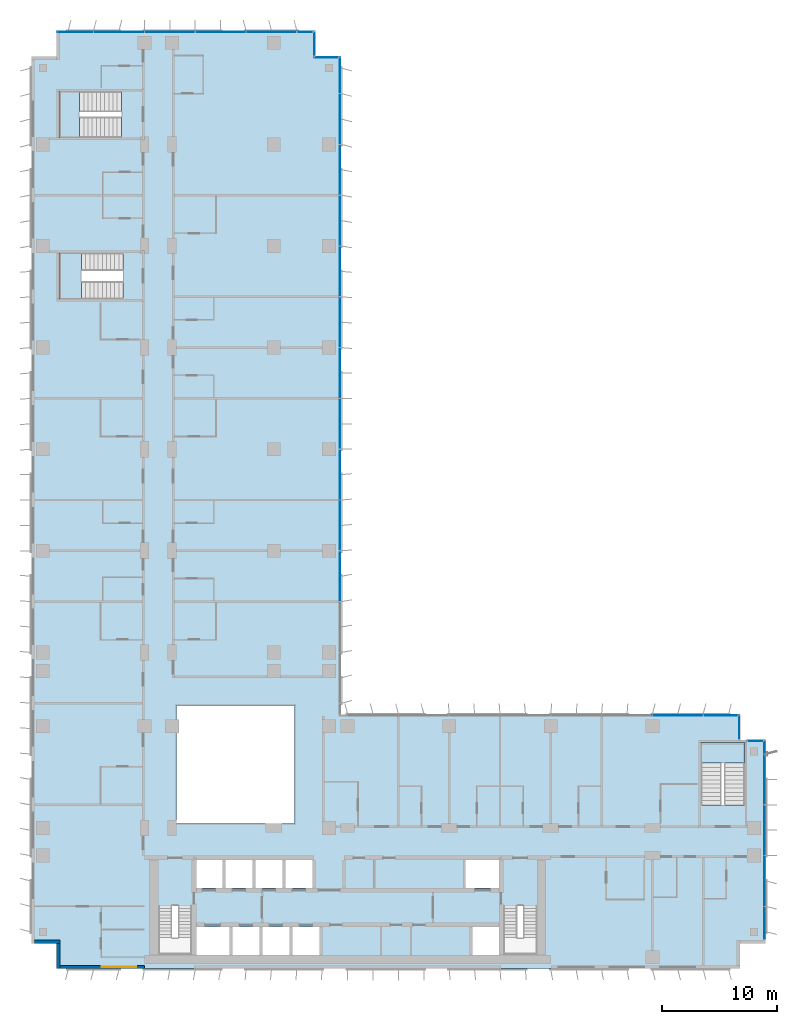
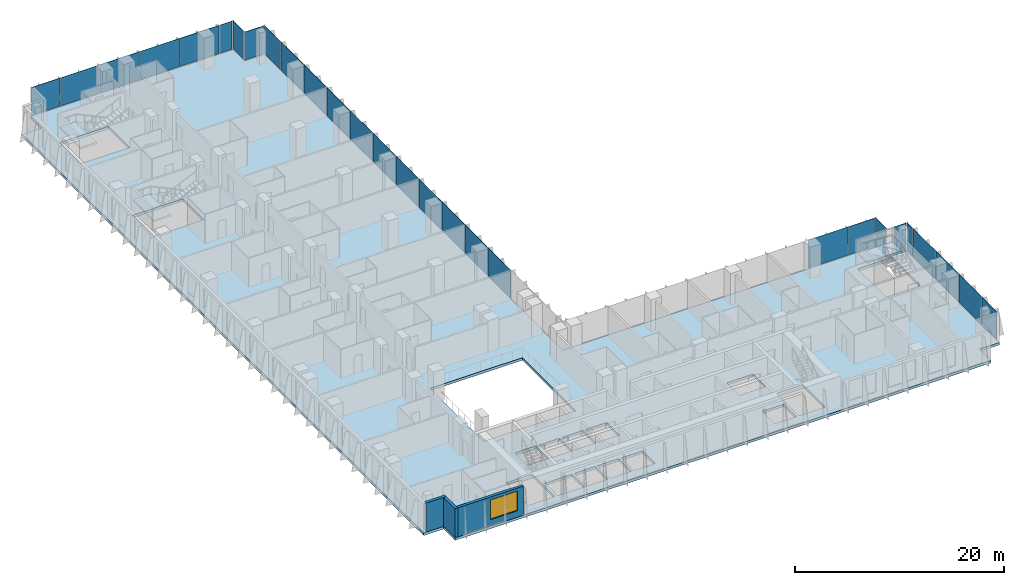
# One storey, part 11 of 23: 28 plates, 4 slabs, 3 walls, 1 window, 1 opening, 11 elements without a shape of their own.
"""IFC4 building model written with IfcOpenShell, lengths in metres."""

from ifc_helpers import new_model, si_unit, direction, frame, frame_2d, origin, origin_2d, place, context, subcontext, project, spatial, polyline, rectangle, outline, extrude, source, transform, mapped, material, layer, layer_set, type_object, element, fill, aggregate, save


model = new_model("IFC4")

# Units and contexts
model_context = context("Model", 3, precision=1e-05, world=origin(), true_north=direction((0.0, 1.0)))
body_context = subcontext(model_context, "Body", "Model", "MODEL_VIEW")
ifc_project = project(units=[si_unit("LENGTHUNIT", "METRE"), si_unit("AREAUNIT", "SQUARE_METRE"), si_unit("VOLUMEUNIT", "CUBIC_METRE"), si_unit("PLANEANGLEUNIT", "RADIAN"), si_unit("MASSUNIT", "GRAM", prefix="KILO")], contexts=[model_context])

# Site, building, storey
site_placement = place(None, origin())
site = spatial("IfcSite", under=ifc_project, at=site_placement, CompositionType="ELEMENT")
building_placement = place(site_placement, origin())
building = spatial("IfcBuilding", under=site, at=building_placement, Name="Kemantara Hotel Tower", CompositionType="ELEMENT")
storey_placement = place(building_placement, frame((0.0, 0.0, 138.300048828125)))
storey = spatial("IfcBuildingStorey", under=building, at=storey_placement, Name="L33", CompositionType="ELEMENT", Elevation=138.300048828125)

# Slab
ifc_material_1 = material(Name="Concrete fc 40 MPa", Category="concrete")
ifc_layer_1 = layer(ifc_material_1, 0.300048828125)
ifc_layer_set_1 = layer_set([ifc_layer_1], Name="Concrete fc 40 MPa")
slab_type_1 = type_object("IfcSlabType", Name="POST-TENSIONED FLAT PLATE 300", PredefinedType="FLOOR", material=ifc_layer_set_1)
slab_1_placement = place(storey_placement, frame((0.0, 0.0, -0.300048828125)))
element("IfcSlab", 1, at=slab_1_placement, inside=storey, type_object=slab_type_1, Name="FLOOR SLAB L33", PredefinedType="FLOOR", context=body_context, shape_type="SweptSolid", body=[
    extrude(outline(polyline([(26.800048828125, 79.0), (24.60009765625, 79.0), (24.60009765625, 81.199951171875), (2.199951171875, 81.199951171875), (2.199951171875, 79.0), (0.0, 79.0), (0.0, 2.199951171875), (2.199951171875, 2.199951171875), (2.199951171875, 0.0), (61.39990234375, 0.0), (61.39990234375, 2.199951171875), (63.60009765625, 2.199951171875), (63.60009765625, 19.800048828125), (61.39990234375, 19.800048828125), (61.39990234375, 22.0), (26.800048828125, 22.0), (26.800048828125, 79.0)]), holes=[polyline([(17.175048828125, 1.199951171875), (14.22509765625, 1.199951171875), (14.22509765625, 3.60009765625), (17.175048828125, 3.60009765625), (17.175048828125, 1.199951171875)]), polyline([(19.77490234375, 1.199951171875), (17.425048828125, 1.199951171875), (17.425048828125, 3.60009765625), (19.77490234375, 3.60009765625), (19.77490234375, 1.199951171875)]), polyline([(11.0, 1.199951171875), (11.0, 5.49951171875), (13.89990234375, 5.49951171875), (13.89990234375, 1.199951171875), (11.0, 1.199951171875)]), polyline([(16.574951171875, 7.0), (14.22509765625, 7.0), (14.22509765625, 9.39990234375), (16.574951171875, 9.39990234375), (16.574951171875, 7.0)]), polyline([(19.175048828125, 7.0), (16.824951171875, 7.0), (16.824951171875, 9.39990234375), (19.175048828125, 9.39990234375), (19.175048828125, 7.0)]), polyline([(22.800048828125, 12.60009765625), (12.60009765625, 12.60009765625), (12.60009765625, 22.800048828125), (22.800048828125, 22.800048828125), (22.800048828125, 12.60009765625)]), polyline([(2.39990234375, 62.0), (7.949462890625, 62.0), (7.949462890625, 58.0), (2.39990234375, 58.0), (2.39990234375, 62.0)]), polyline([(2.39990234375, 76.0), (7.79931640625, 76.0), (7.79931640625, 72.0), (2.39990234375, 72.0), (2.39990234375, 76.0)]), polyline([(22.375, 1.199951171875), (20.02490234375, 1.199951171875), (20.02490234375, 3.60009765625), (22.375, 3.60009765625), (22.375, 1.199951171875)]), polyline([(24.97509765625, 1.199951171875), (22.625, 1.199951171875), (22.625, 3.60009765625), (24.97509765625, 3.60009765625), (24.97509765625, 1.199951171875)]), polyline([(40.574951171875, 1.199951171875), (38.22509765625, 1.199951171875), (38.22509765625, 3.60009765625), (40.574951171875, 3.60009765625), (40.574951171875, 1.199951171875)]), polyline([(40.89990234375, 1.199951171875), (40.89990234375, 5.49951171875), (43.800048828125, 5.49951171875), (43.800048828125, 1.199951171875), (40.89990234375, 1.199951171875)]), polyline([(21.77490234375, 7.0), (19.425048828125, 7.0), (19.425048828125, 9.39990234375), (21.77490234375, 9.39990234375), (21.77490234375, 7.0)]), polyline([(24.375, 7.0), (22.02490234375, 7.0), (22.02490234375, 9.39990234375), (24.375, 9.39990234375), (24.375, 7.0)]), polyline([(40.574951171875, 7.0), (37.625, 7.0), (37.625, 9.39990234375), (40.574951171875, 9.39990234375), (40.574951171875, 7.0)]), polyline([(61.800048828125, 19.60009765625), (61.800048828125, 14.20068359375), (58.0, 14.20068359375), (58.0, 19.60009765625), (61.800048828125, 19.60009765625)])]), origin(), (0.0, 0.0, 1.0), 0.300048828125),
])

# Stair, slab
stair_type_1 = type_object("IfcStairType", Name="Stair 1800 wide 22 risers of 168 x 360 mm", PredefinedType="HALF_TURN_STAIR", material=ifc_material_1)
stair_1_placement = place(storey_placement, origin())
stair_1 = element("IfcStair", 2, at=stair_1_placement, inside=storey, type_object=stair_type_1, Name="L33 Exit stair ST3", PredefinedType="HALF_TURN_STAIR")
ifc_layer_2 = layer(ifc_material_1, 0.199951171875)
ifc_layer_set_2 = layer_set([ifc_layer_2], Name="Concrete fc 40 MPa")
slab_type_2 = type_object("IfcSlabType", Name="Stair landing 200 mm", PredefinedType="LANDING", material=ifc_layer_set_2)
slab_2_placement = place(storey_placement, frame((0.0, 0.0, 1.64990234375)))
slab_2 = element("IfcSlab", 3, at=slab_2_placement, type_object=slab_type_2, Name="ST3 landing 1", PredefinedType="LANDING", context=body_context, shape_type="SweptSolid", body=[
    extrude(outline(polyline([(61.800048828125, 17.800048828125), (61.800048828125, 19.60009765625), (58.0, 19.60009765625), (58.0, 17.800048828125), (61.800048828125, 17.800048828125)])), origin(), (0.0, 0.0, 1.0), 0.199951171875),
])
aggregate(stair_1, [slab_2])

stair_type_2 = type_object("IfcStairType", Name="Stair 1550 wide 22 risers of 168 x 360 mm", PredefinedType="HALF_TURN_STAIR", material=ifc_material_1)
stair_2_placement = place(storey_placement, origin())
stair_2 = element("IfcStair", 4, at=stair_2_placement, inside=storey, type_object=stair_type_2, Name="L33 Exit stair ST4", PredefinedType="HALF_TURN_STAIR")
slab_3_placement = place(storey_placement, frame((0.0, 0.0, 1.64990234375)))
slab_3 = element("IfcSlab", 5, at=slab_3_placement, type_object=slab_type_2, Name="ST4 landing 1", PredefinedType="LANDING", context=body_context, shape_type="SweptSolid", body=[
    extrude(outline(polyline([(4.35009765625, 62.0), (2.39990234375, 62.0), (2.39990234375, 58.0), (4.35009765625, 58.0), (4.35009765625, 62.0)])), origin(), (0.0, 0.0, 1.0), 0.199951171875),
])
aggregate(stair_2, [slab_3])

stair_3_placement = place(storey_placement, origin())
stair_3 = element("IfcStair", 6, at=stair_3_placement, inside=storey, type_object=stair_type_1, Name="L33 Exit stair ST6", PredefinedType="HALF_TURN_STAIR")
slab_4_placement = place(storey_placement, frame((0.0, 0.0, 1.64990234375)))
slab_4 = element("IfcSlab", 7, at=slab_4_placement, type_object=slab_type_2, Name="ST6 landing 1", PredefinedType="LANDING", context=body_context, shape_type="SweptSolid", body=[
    extrude(outline(polyline([(4.199951171875, 76.0), (2.39990234375, 76.0), (2.39990234375, 72.0), (4.199951171875, 72.0), (4.199951171875, 76.0)])), origin(), (0.0, 0.0, 1.0), 0.199951171875),
])
aggregate(stair_3, [slab_4])

# Curtain wall, plate
ifc_material_2 = material(Name="Low-E tinted double insulated glass 36 mm", Category="glass")
curtain_wall_type = type_object("IfcCurtainWallType", Name="TOWER CURTAIN WALL, FRONT FACES", PredefinedType="USERDEFINED", material=ifc_material_2)
curtain_wall_1_placement = place(storey_placement, origin())
curtain_wall_1 = element("IfcCurtainWall", 8, at=curtain_wall_1_placement, inside=storey, type_object=curtain_wall_type, Name="CW4 L33 T2-R10-1", ObjectType="TOWER CURTAIN WALL, FRONT FACES", PredefinedType="USERDEFINED")
ifc_layer_3 = layer(ifc_material_2, 0.035888671875)
ifc_layer_set_3 = layer_set([ifc_layer_3], Name="Low-E tinted double insulated glass 36 mm")
plate_type = type_object("IfcPlateType", Name="TOWER CURTAIN WALL, FRONT FACES PANEL", PredefinedType="CURTAIN_PANEL", material=ifc_layer_set_3)
shared_shape_1 = source(origin(), body_context, "Body", "SweptSolid", [
    extrude(rectangle(XDim=2.81005859375, YDim=0.035888671875, at=origin_2d()), origin(), (0.0, 0.0, 1.0), 3.280029296875),
])
plate_1_placement = place(storey_placement, frame((63.52490234375, 3.965087890625, 0.1201171875), z_axis=(0.0, 0.0, 1.0), x_axis=(0.0, 1.0, 0.0)))
plate_1 = element("IfcPlate", 9, at=plate_1_placement, type_object=plate_type, Name="CW4 glass panel T2-R10-1.1", PredefinedType="CURTAIN_PANEL", context=body_context, shape_type="MappedRepresentation", body=[
    mapped(shared_shape_1, transform((0.0, 0.0, 0.0))),
])

# Curtain wall, plates
curtain_wall_2_placement = place(storey_placement, origin())
curtain_wall_2 = element("IfcCurtainWall", 10, at=curtain_wall_2_placement, inside=storey, type_object=curtain_wall_type, Name="CW4 L33 T2-R01-1", ObjectType="TOWER CURTAIN WALL, FRONT FACES", PredefinedType="USERDEFINED")
shared_shape_2 = source(origin(), body_context, "Body", "SweptSolid", [
    extrude(rectangle(XDim=4.340087890625, YDim=0.035888671875, at=origin_2d()), origin(), (0.0, 0.0, 1.0), 3.280029296875),
])
plate_2_placement = place(storey_placement, frame((20.800048828125, 81.125, 0.1201171875), z_axis=(0.0, 0.0, 1.0), x_axis=(-1.0, 0.0, 0.0)))
plate_2 = element("IfcPlate", 11, at=plate_2_placement, type_object=plate_type, Name="CW4 glass panel T2-R01-1.2", PredefinedType="CURTAIN_PANEL", context=body_context, shape_type="MappedRepresentation", body=[
    mapped(shared_shape_2, transform((0.0, 0.0, 0.0))),
])
plate_3_placement = place(storey_placement, frame((16.39990234375, 81.125, 0.1201171875), z_axis=(0.0, 0.0, 1.0), x_axis=(-1.0, 0.0, 0.0)))
plate_3 = element("IfcPlate", 12, at=plate_3_placement, type_object=plate_type, Name="CW4 glass panel T2-R01-1.3", PredefinedType="CURTAIN_PANEL", context=body_context, shape_type="MappedRepresentation", body=[
    mapped(shared_shape_2, transform((0.0, 0.0, 0.0))),
])
plate_4_placement = place(storey_placement, frame((12.0, 81.125, 0.1201171875), z_axis=(0.0, 0.0, 1.0), x_axis=(-1.0, 0.0, 0.0)))
plate_4 = element("IfcPlate", 13, at=plate_4_placement, type_object=plate_type, Name="CW4 glass panel T2-R01-1.4", PredefinedType="CURTAIN_PANEL", context=body_context, shape_type="MappedRepresentation", body=[
    mapped(shared_shape_2, transform((0.0, 0.0, 0.0))),
])
plate_5_placement = place(storey_placement, frame((7.60009765625, 81.125, 0.1201171875), z_axis=(0.0, 0.0, 1.0), x_axis=(-1.0, 0.0, 0.0)))
plate_5 = element("IfcPlate", 14, at=plate_5_placement, type_object=plate_type, Name="CW4 glass panel T2-R01-1.5", PredefinedType="CURTAIN_PANEL", context=body_context, shape_type="MappedRepresentation", body=[
    mapped(shared_shape_2, transform((0.0, 0.0, 0.0))),
])

# Plate
plate_6_placement = place(storey_placement, frame((63.52490234375, 7.60009765625, 0.1201171875), z_axis=(0.0, 0.0, 1.0), x_axis=(0.0, 1.0, 0.0)))
plate_6 = element("IfcPlate", 15, at=plate_6_placement, type_object=plate_type, Name="CW4 glass panel T2-R10-1.2", PredefinedType="CURTAIN_PANEL", context=body_context, shape_type="MappedRepresentation", body=[
    mapped(shared_shape_2, transform((0.0, 0.0, 0.0))),
])

plate_7_placement = place(storey_placement, frame((63.52490234375, 12.0, 0.1201171875), z_axis=(0.0, 0.0, 1.0), x_axis=(0.0, 1.0, 0.0)))
plate_7 = element("IfcPlate", 16, at=plate_7_placement, type_object=plate_type, Name="CW4 glass panel T2-R10-1.3", PredefinedType="CURTAIN_PANEL", context=body_context, shape_type="MappedRepresentation", body=[
    mapped(shared_shape_2, transform((0.0, 0.0, 0.0))),
])

plate_8_placement = place(storey_placement, frame((63.52490234375, 16.39990234375, 0.1201171875), z_axis=(0.0, 0.0, 1.0), x_axis=(0.0, 1.0, 0.0)))
plate_8 = element("IfcPlate", 17, at=plate_8_placement, type_object=plate_type, Name="CW4 glass panel T2-R10-1.4", PredefinedType="CURTAIN_PANEL", context=body_context, shape_type="MappedRepresentation", body=[
    mapped(shared_shape_2, transform((0.0, 0.0, 0.0))),
])

# Curtain wall, plate
curtain_wall_3_placement = place(storey_placement, origin())
curtain_wall_3 = element("IfcCurtainWall", 18, at=curtain_wall_3_placement, inside=storey, type_object=curtain_wall_type, Name="CW4 L33 T2-R13-1", ObjectType="TOWER CURTAIN WALL, FRONT FACES", PredefinedType="USERDEFINED")
plate_9_placement = place(storey_placement, frame((56.0, 21.925048828125, 0.1201171875), z_axis=(0.0, 0.0, 1.0), x_axis=(-1.0, 0.0, 0.0)))
plate_9 = element("IfcPlate", 19, at=plate_9_placement, type_object=plate_type, Name="CW4 glass panel T2-R13-1.2", PredefinedType="CURTAIN_PANEL", context=body_context, shape_type="MappedRepresentation", body=[
    mapped(shared_shape_2, transform((0.0, 0.0, 0.0))),
])

# Curtain wall, plates
curtain_wall_4_placement = place(storey_placement, origin())
curtain_wall_4 = element("IfcCurtainWall", 20, at=curtain_wall_4_placement, inside=storey, type_object=curtain_wall_type, Name="CW4 L33 T2-R14-1", ObjectType="TOWER CURTAIN WALL, FRONT FACES", PredefinedType="USERDEFINED")
plate_10_placement = place(storey_placement, frame((26.72509765625, 34.0, 0.1201171875), z_axis=(0.0, 0.0, 1.0), x_axis=(0.0, 1.0, 0.0)))
plate_10 = element("IfcPlate", 21, at=plate_10_placement, type_object=plate_type, Name="CW4 glass panel T2-R14-1.4", PredefinedType="CURTAIN_PANEL", context=body_context, shape_type="MappedRepresentation", body=[
    mapped(shared_shape_2, transform((0.0, 0.0, 0.0))),
])
plate_11_placement = place(storey_placement, frame((26.72509765625, 38.39990234375, 0.1201171875), z_axis=(0.0, 0.0, 1.0), x_axis=(0.0, 1.0, 0.0)))
plate_11 = element("IfcPlate", 22, at=plate_11_placement, type_object=plate_type, Name="CW4 glass panel T2-R14-1.5", PredefinedType="CURTAIN_PANEL", context=body_context, shape_type="MappedRepresentation", body=[
    mapped(shared_shape_2, transform((0.0, 0.0, 0.0))),
])
plate_12_placement = place(storey_placement, frame((26.72509765625, 42.800048828125, 0.1201171875), z_axis=(0.0, 0.0, 1.0), x_axis=(0.0, 1.0, 0.0)))
plate_12 = element("IfcPlate", 23, at=plate_12_placement, type_object=plate_type, Name="CW4 glass panel T2-R14-1.6", PredefinedType="CURTAIN_PANEL", context=body_context, shape_type="MappedRepresentation", body=[
    mapped(shared_shape_2, transform((0.0, 0.0, 0.0))),
])
plate_13_placement = place(storey_placement, frame((26.72509765625, 47.199951171875, 0.1201171875), z_axis=(0.0, 0.0, 1.0), x_axis=(0.0, 1.0, 0.0)))
plate_13 = element("IfcPlate", 24, at=plate_13_placement, type_object=plate_type, Name="CW4 glass panel T2-R14-1.7", PredefinedType="CURTAIN_PANEL", context=body_context, shape_type="MappedRepresentation", body=[
    mapped(shared_shape_2, transform((0.0, 0.0, 0.0))),
])
plate_14_placement = place(storey_placement, frame((26.72509765625, 51.60009765625, 0.1201171875), z_axis=(0.0, 0.0, 1.0), x_axis=(0.0, 1.0, 0.0)))
plate_14 = element("IfcPlate", 25, at=plate_14_placement, type_object=plate_type, Name="CW4 glass panel T2-R14-1.8", PredefinedType="CURTAIN_PANEL", context=body_context, shape_type="MappedRepresentation", body=[
    mapped(shared_shape_2, transform((0.0, 0.0, 0.0))),
])
plate_15_placement = place(storey_placement, frame((26.72509765625, 56.0, 0.1201171875), z_axis=(0.0, 0.0, 1.0), x_axis=(0.0, 1.0, 0.0)))
plate_15 = element("IfcPlate", 26, at=plate_15_placement, type_object=plate_type, Name="CW4 glass panel T2-R14-1.9", PredefinedType="CURTAIN_PANEL", context=body_context, shape_type="MappedRepresentation", body=[
    mapped(shared_shape_2, transform((0.0, 0.0, 0.0))),
])
plate_16_placement = place(storey_placement, frame((26.72509765625, 60.39990234375, 0.1201171875), z_axis=(0.0, 0.0, 1.0), x_axis=(0.0, 1.0, 0.0)))
plate_16 = element("IfcPlate", 27, at=plate_16_placement, type_object=plate_type, Name="CW4 glass panel T2-R14-1.10", PredefinedType="CURTAIN_PANEL", context=body_context, shape_type="MappedRepresentation", body=[
    mapped(shared_shape_2, transform((0.0, 0.0, 0.0))),
])
plate_17_placement = place(storey_placement, frame((26.72509765625, 64.800048828125, 0.1201171875), z_axis=(0.0, 0.0, 1.0), x_axis=(0.0, 1.0, 0.0)))
plate_17 = element("IfcPlate", 28, at=plate_17_placement, type_object=plate_type, Name="CW4 glass panel T2-R14-1.11", PredefinedType="CURTAIN_PANEL", context=body_context, shape_type="MappedRepresentation", body=[
    mapped(shared_shape_2, transform((0.0, 0.0, 0.0))),
])
plate_18_placement = place(storey_placement, frame((26.72509765625, 69.199951171875, 0.1201171875), z_axis=(0.0, 0.0, 1.0), x_axis=(0.0, 1.0, 0.0)))
plate_18 = element("IfcPlate", 29, at=plate_18_placement, type_object=plate_type, Name="CW4 glass panel T2-R14-1.12", PredefinedType="CURTAIN_PANEL", context=body_context, shape_type="MappedRepresentation", body=[
    mapped(shared_shape_2, transform((0.0, 0.0, 0.0))),
])
plate_19_placement = place(storey_placement, frame((26.72509765625, 73.60009765625, 0.1201171875), z_axis=(0.0, 0.0, 1.0), x_axis=(0.0, 1.0, 0.0)))
plate_19 = element("IfcPlate", 30, at=plate_19_placement, type_object=plate_type, Name="CW4 glass panel T2-R14-1.13", PredefinedType="CURTAIN_PANEL", context=body_context, shape_type="MappedRepresentation", body=[
    mapped(shared_shape_2, transform((0.0, 0.0, 0.0))),
])

# Plate
shared_shape_3 = source(origin(), body_context, "Body", "SweptSolid", [
    extrude(rectangle(XDim=1.360107421875, YDim=0.035888671875, at=origin_2d()), origin(), (0.0, 0.0, 1.0), 3.280029296875),
])
plate_20_placement = place(storey_placement, frame((23.7099609375, 81.125, 0.1201171875), z_axis=(0.0, 0.0, 1.0), x_axis=(-1.0, 0.0, 0.0)))
plate_20 = element("IfcPlate", 31, at=plate_20_placement, type_object=plate_type, Name="CW4 glass panel T2-R01-1.1", PredefinedType="CURTAIN_PANEL", context=body_context, shape_type="MappedRepresentation", body=[
    mapped(shared_shape_3, transform((0.0, 0.0, 0.0))),
])

shared_shape_4 = source(origin(), body_context, "Body", "SweptSolid", [
    extrude(rectangle(XDim=3.110107421875, YDim=0.035888671875, at=origin_2d()), origin(), (0.0, 0.0, 1.0), 3.280029296875),
])
plate_21_placement = place(storey_placement, frame((3.81494140625, 81.125, 0.1201171875), z_axis=(0.0, 0.0, 1.0), x_axis=(-1.0, 0.0, 0.0)))
plate_21 = element("IfcPlate", 32, at=plate_21_placement, type_object=plate_type, Name="CW4 glass panel T2-R01-1.6", PredefinedType="CURTAIN_PANEL", context=body_context, shape_type="MappedRepresentation", body=[
    mapped(shared_shape_4, transform((0.0, 0.0, 0.0))),
])

aggregate(curtain_wall_2, [plate_20, plate_2, plate_3, plate_4, plate_5, plate_21])

plate_22_placement = place(storey_placement, frame((26.72509765625, 77.385009765625, 0.1201171875), z_axis=(0.0, 0.0, 1.0), x_axis=(0.0, 1.0, 0.0)))
plate_22 = element("IfcPlate", 33, at=plate_22_placement, type_object=plate_type, Name="CW4 glass panel T2-R14-1.14", PredefinedType="CURTAIN_PANEL", context=body_context, shape_type="MappedRepresentation", body=[
    mapped(shared_shape_4, transform((0.0, 0.0, 0.0))),
])

aggregate(curtain_wall_4, [plate_10, plate_11, plate_12, plate_13, plate_14, plate_15, plate_16, plate_17, plate_18, plate_19, plate_22])

# Curtain wall, plate
curtain_wall_5_placement = place(storey_placement, origin())
curtain_wall_5 = element("IfcCurtainWall", 34, at=curtain_wall_5_placement, inside=storey, type_object=curtain_wall_type, Name="CW4 L33 T2-R00-1", ObjectType="TOWER CURTAIN WALL, FRONT FACES", PredefinedType="USERDEFINED")
shared_shape_5 = source(origin(), body_context, "Body", "SweptSolid", [
    extrude(rectangle(XDim=2.080078125, YDim=0.035888671875, at=origin_2d()), origin(), (0.0, 0.0, 1.0), 3.280029296875),
])
plate_23_placement = place(storey_placement, frame((24.52490234375, 80.10009765625, 0.1201171875), z_axis=(0.0, 0.0, 1.0), x_axis=(0.0, 1.0, 0.0)))
plate_23 = element("IfcPlate", 35, at=plate_23_placement, type_object=plate_type, Name="CW4 glass panel T2-R00-1.1", PredefinedType="CURTAIN_PANEL", context=body_context, shape_type="MappedRepresentation", body=[
    mapped(shared_shape_5, transform((0.0, 0.0, 0.0))),
])
aggregate(curtain_wall_5, [plate_23])

curtain_wall_6_placement = place(storey_placement, origin())
curtain_wall_6 = element("IfcCurtainWall", 36, at=curtain_wall_6_placement, inside=storey, type_object=curtain_wall_type, Name="CW4 L33 T2-R12-1", ObjectType="TOWER CURTAIN WALL, FRONT FACES", PredefinedType="USERDEFINED")
plate_24_placement = place(storey_placement, frame((61.324951171875, 20.89990234375, 0.1201171875), z_axis=(0.0, 0.0, 1.0), x_axis=(0.0, 1.0, 0.0)))
plate_24 = element("IfcPlate", 37, at=plate_24_placement, type_object=plate_type, Name="CW4 glass panel T2-R12-1.1", PredefinedType="CURTAIN_PANEL", context=body_context, shape_type="MappedRepresentation", body=[
    mapped(shared_shape_5, transform((0.0, 0.0, 0.0))),
])
aggregate(curtain_wall_6, [plate_24])

curtain_wall_7_placement = place(storey_placement, origin())
curtain_wall_7 = element("IfcCurtainWall", 38, at=curtain_wall_7_placement, inside=storey, type_object=curtain_wall_type, Name="CW4 L33 T2-R15-1", ObjectType="TOWER CURTAIN WALL, FRONT FACES", PredefinedType="USERDEFINED")
plate_25_placement = place(storey_placement, frame((25.550048828125, 78.925048828125, 0.1201171875), z_axis=(0.0, 0.0, 1.0), x_axis=(-1.0, 0.0, 0.0)))
plate_25 = element("IfcPlate", 39, at=plate_25_placement, type_object=plate_type, Name="CW4 glass panel T2-R15-1.1", PredefinedType="CURTAIN_PANEL", context=body_context, shape_type="MappedRepresentation", body=[
    mapped(shared_shape_5, transform((0.0, 0.0, 0.0))),
])
aggregate(curtain_wall_7, [plate_25])

# Plate
shared_shape_6 = source(origin(), body_context, "Body", "SweptSolid", [
    extrude(rectangle(XDim=2.9599609375, YDim=0.035888671875, at=origin_2d()), origin(), (0.0, 0.0, 1.0), 3.280029296875),
])
plate_26_placement = place(storey_placement, frame((59.7099609375, 21.925048828125, 0.1201171875), z_axis=(0.0, 0.0, 1.0), x_axis=(-1.0, 0.0, 0.0)))
plate_26 = element("IfcPlate", 40, at=plate_26_placement, type_object=plate_type, Name="CW4 glass panel T2-R13-1.1", PredefinedType="CURTAIN_PANEL", context=body_context, shape_type="MappedRepresentation", body=[
    mapped(shared_shape_6, transform((0.0, 0.0, 0.0))),
])

aggregate(curtain_wall_3, [plate_26, plate_9])

shared_shape_7 = source(origin(), body_context, "Body", "SweptSolid", [
    extrude(rectangle(XDim=1.110107421875, YDim=0.035888671875, at=origin_2d()), origin(), (0.0, 0.0, 1.0), 3.280029296875),
])
plate_27_placement = place(storey_placement, frame((63.52490234375, 19.18505859375, 0.1201171875), z_axis=(0.0, 0.0, 1.0), x_axis=(0.0, 1.0, 0.0)))
plate_27 = element("IfcPlate", 41, at=plate_27_placement, type_object=plate_type, Name="CW4 glass panel T2-R10-1.5", PredefinedType="CURTAIN_PANEL", context=body_context, shape_type="MappedRepresentation", body=[
    mapped(shared_shape_7, transform((0.0, 0.0, 0.0))),
])

aggregate(curtain_wall_1, [plate_1, plate_6, plate_7, plate_8, plate_27])

# Curtain wall, plate
curtain_wall_8_placement = place(storey_placement, origin())
curtain_wall_8 = element("IfcCurtainWall", 42, at=curtain_wall_8_placement, inside=storey, type_object=curtain_wall_type, Name="CW4 L33 T2-R11-1", ObjectType="TOWER CURTAIN WALL, FRONT FACES", PredefinedType="USERDEFINED")
shared_shape_8 = source(origin(), body_context, "Body", "SweptSolid", [
    extrude(rectangle(XDim=1.330078125, YDim=0.035888671875, at=origin_2d()), origin(), (0.0, 0.0, 1.0), 3.280029296875),
])
plate_28_placement = place(storey_placement, frame((62.72509765625, 19.72509765625, 0.1201171875), z_axis=(0.0, 0.0, 1.0), x_axis=(-1.0, 0.0, 0.0)))
plate_28 = element("IfcPlate", 43, at=plate_28_placement, type_object=plate_type, Name="CW4 glass panel T2-R11-1.1", PredefinedType="CURTAIN_PANEL", context=body_context, shape_type="MappedRepresentation", body=[
    mapped(shared_shape_8, transform((0.0, 0.0, 0.0))),
])
aggregate(curtain_wall_8, [plate_28])

# Walls
ifc_material_3 = material(Name="Bronze anodised aluminium cladding on insulated steel stud wall", Category="steel")
ifc_layer_4 = layer(ifc_material_3, 0.300048828125)
ifc_layer_set_4 = layer_set([ifc_layer_4], Name="Bronze anodised aluminium cladding on insulated steel stud wall")
wall_type = type_object("IfcWallType", Name="BRONZE METAL-CLAD EXTERNAL WALL 300", PredefinedType="STANDARD", material=ifc_layer_set_4)
for number, where, z_axis, x_axis, name in (
    (44, (0.300048828125, 2.35009765625, 0.0), (0.0, 0.0, 1.0), (1.0, 0.0, 0.0), "EXTERNAL WALL L33 T2-R05"),
    (45, (2.35009765625, 2.199951171875, 0.0), (0.0, 0.0, 1.0), (0.0, -1.0, 0.0), "EXTERNAL WALL L33 T2-R06"),
):
    element("IfcWall", number, at=place(storey_placement, frame(where, z_axis=z_axis, x_axis=x_axis)), inside=storey, type_object=wall_type, Name=name, PredefinedType="STANDARD", context=body_context, shape_type="SweptSolid", body=[
        extrude(rectangle(XDim=2.199951171875, YDim=0.300048828125, at=frame_2d((1.10009765625, 0.0))), origin(), (0.0, 0.0, 1.0), 3.39990234375),
    ])

# Wall, opening, window
wall_placement = place(storey_placement, frame((2.5, 0.14990234375, 0.0), z_axis=(0.0, 0.0, 1.0), x_axis=(1.0, 0.0, 0.0)))
wall = element("IfcWall", 46, at=wall_placement, inside=storey, type_object=wall_type, Name="EXTERNAL WALL L33 T2-R07", PredefinedType="STANDARD", context=body_context, shape_type="SweptSolid", body=[
    extrude(rectangle(XDim=7.300048828125, YDim=0.300048828125, at=frame_2d((3.64990234375, 0.0))), origin(), (0.0, 0.0, 1.0), 3.39990234375),
])
opening_placement = place(wall_placement, frame((3.60009765625, 0.0, 0.75)))
opening = element("IfcOpeningElement", 47, at=opening_placement, cuts=wall, Name="Opening W1", PredefinedType="OPENING", context=body_context, shape_type="SweptSolid", body=[
    extrude(rectangle(XDim=3.0, YDim=2.300048828125, at=frame_2d((1.5, 1.14990234375))), frame((0.0, 0.159912109375, 0.0), z_axis=(0.0, -1.0, 0.0), x_axis=(1.0, 0.0, 0.0)), (0.0, 0.0, 1.0), 0.320068359375),
])
ifc_material_4 = material(Name="Low-E tinted double insulated glass in bronze anodised aluminium frame", Category="aluminium")
window_type = type_object("IfcWindowType", Name="CHICAGO WINDOW, TRIPLE PANEL 3000x2300", PartitioningType="TRIPLE_PANEL_VERTICAL", PredefinedType="WINDOW", material=ifc_material_4)
window_placement = place(opening_placement, origin())
window = element("IfcWindow", 48, at=window_placement, inside=storey, type_object=window_type, Name="CHICAGO WINDOW L33 T2-R07-54", OverallHeight=2.300048828125, OverallWidth=3.0, PartitioningType="SINGLE_PANEL", PredefinedType="WINDOW", context=body_context, shape_type="SweptSolid", body=[
    extrude(rectangle(XDim=3.0, YDim=2.300048828125, at=frame_2d((1.5, 1.14990234375))), frame((0.0, 0.030029296875, 0.0), z_axis=(0.0, -1.0, 0.0), x_axis=(1.0, 0.0, 0.0)), (0.0, 0.0, 1.0), 0.06005859375),
])
fill(opening, window)

save(model, "model.ifc")
